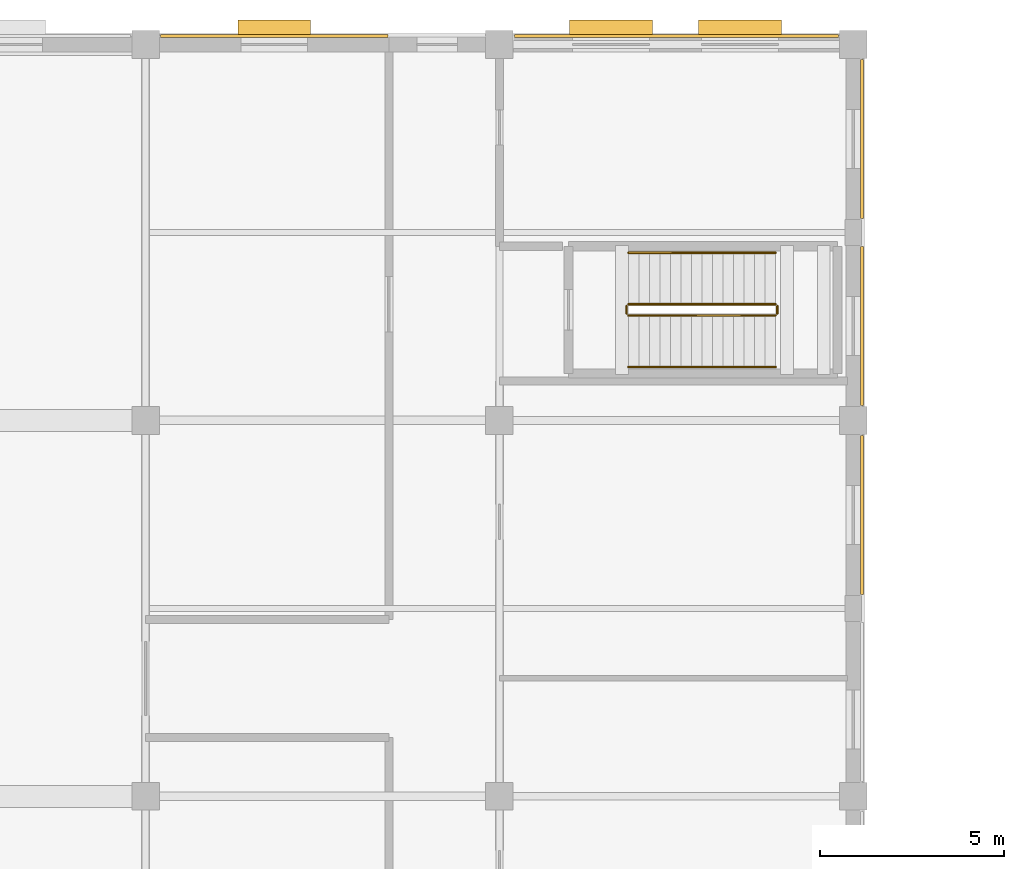
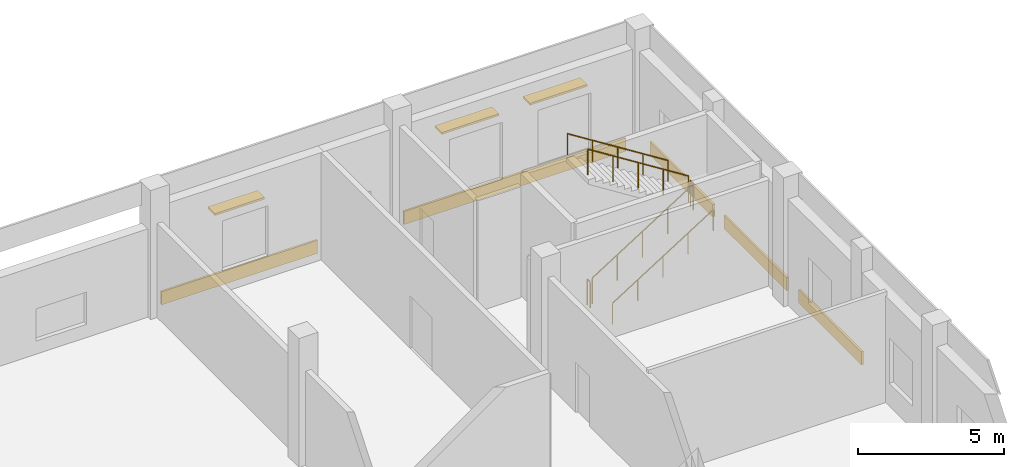
# One storey, part 127 of 137: 6 railings, 5 coverings, 3 shading devices.
"""IFC4 building model written with IfcOpenShell, lengths in metres."""

from ifc_helpers import new_model, si_unit, direction, frame, origin, origin_2d, place, context, subcontext, project, spatial, rectangle, circle, extrude, material, layer, layer_set, type_object, element, save


model = new_model("IFC4")

# Units and contexts
model_context = context("Model", 3, precision=1e-05, world=origin(), true_north=direction((0.0, 1.0)))
body_context = subcontext(model_context, "Body", "Model", "MODEL_VIEW")
ifc_project = project(units=[si_unit("LENGTHUNIT", "METRE"), si_unit("AREAUNIT", "SQUARE_METRE"), si_unit("VOLUMEUNIT", "CUBIC_METRE"), si_unit("PLANEANGLEUNIT", "RADIAN"), si_unit("MASSUNIT", "GRAM", prefix="KILO")], contexts=[model_context])

# Site, building, storey
site_placement = place(None, origin())
site = spatial("IfcSite", under=ifc_project, at=site_placement, CompositionType="ELEMENT")
building_placement = place(site_placement, origin())
building = spatial("IfcBuilding", under=site, at=building_placement, Name="Vondelvale Polytechnic", CompositionType="ELEMENT")
storey_placement = place(building_placement, origin())
storey = spatial("IfcBuildingStorey", under=building, at=storey_placement, Name="L00", CompositionType="ELEMENT", Elevation=0.0)

# Coverings
ifc_material_1 = material(Name="Malmsbury bluestone ashlar stone masonry", Category="masonry")
ifc_layer_1 = layer(ifc_material_1, 0.080078125)
ifc_layer_set_1 = layer_set([ifc_layer_1], Name="COV-BLUESTONE-PLINTH")
covering_type = type_object("IfcCoveringType", Name="COV-BLUESTONE-PLINTH", PredefinedType="CLADDING", material=ifc_layer_set_1)
for number, where, z_axis, x_axis, name in (
    (1, (48.236083984375, 109.637451171875, 0.0), (0.0, 0.0, 1.0), (0.0, -1.0, 0.0), "L00 exterior corbelled masonry relief band"),
    (2, (48.236083984375, 114.762451171875, 0.0), (0.0, 0.0, 1.0), (0.0, -1.0, 0.0), "L00 exterior corbelled masonry relief band"),
    (3, (48.236083984375, 119.83740234375, 0.0), (0.0, 0.0, 1.0), (0.0, -1.0, 0.0), "L00 exterior corbelled masonry relief band"),
):
    element("IfcCovering", number, at=place(storey_placement, frame(where, z_axis=z_axis, x_axis=x_axis)), inside=storey, type_object=covering_type, Name=name, PredefinedType="CLADDING", context=body_context, shape_type="SweptSolid", body=[
        extrude(rectangle(XDim=4.31298828125, YDim=0.080078125, at=origin_2d()), origin(), (0.0, 0.0, 1.0), 0.550048828125),
    ])
covering_1_placement = place(storey_placement, frame((32.2880859375, 122.635986328125, 0.0), z_axis=(0.0, 0.0, 1.0), x_axis=(1.0, 0.0, 0.0)))
element("IfcCovering", 4, at=covering_1_placement, inside=storey, type_object=covering_type, Name="L00 exterior corbelled masonry relief band", PredefinedType="CLADDING", context=body_context, shape_type="SweptSolid", body=[
    extrude(rectangle(XDim=6.1640625, YDim=0.080078125, at=origin_2d()), origin(), (0.0, 0.0, 1.0), 0.550048828125),
])
covering_2_placement = place(storey_placement, frame((43.199951171875, 122.635986328125, 0.0), z_axis=(0.0, 0.0, 1.0), x_axis=(1.0, 0.0, 0.0)))
element("IfcCovering", 5, at=covering_2_placement, inside=storey, type_object=covering_type, Name="L00 exterior corbelled masonry relief band", PredefinedType="CLADDING", context=body_context, shape_type="SweptSolid", body=[
    extrude(rectangle(XDim=8.7880859375, YDim=0.080078125, at=origin_2d()), origin(), (0.0, 0.0, 1.0), 0.550048828125),
])

# Railings
ifc_material_2 = material(Name="Brushed architectural stainless and zinc-coated metal")
ifc_layer_2 = layer(ifc_material_2, 0.050048828125)
ifc_layer_set_2 = layer_set([ifc_layer_2], Name="RL-STAIR-GUARD")
railing_type_1 = type_object("IfcRailingType", Name="RL-STAIR-GUARD", PredefinedType="GUARDRAIL", material=ifc_layer_set_2)
railing_1_placement = place(storey_placement, frame((41.89990234375, 115.050048828125, 0.179931640625)))
element("IfcRailing", 6, at=railing_1_placement, inside=storey, type_object=railing_type_1, Name="L00 ST-02 stair guard 1", PredefinedType="GUARDRAIL", context=body_context, shape_type="SweptSolid", body=[
    extrude(circle(Radius=0.02392578125, at=origin_2d()), frame((0.0, 0.0, 1.076171875), z_axis=(0.845486444383, 0.0, 0.533996884227), x_axis=(0.0, 1.0, 0.0)), (0.0, 0.0, 1.0), 4.71923828125),
    extrude(circle(Radius=0.02099609375, at=origin_2d()), origin(), (0.0, 0.0, 1.0), 1.052001953125),
    extrude(circle(Radius=0.02099609375, at=origin_2d()), frame((0.99755859375, 0.0, 0.6298828125)), (0.0, 0.0, 1.0), 1.052001953125),
    extrude(circle(Radius=0.02099609375, at=origin_2d()), frame((1.9951171875, 0.0, 1.260009765625)), (0.0, 0.0, 1.0), 1.052001953125),
    extrude(circle(Radius=0.02099609375, at=origin_2d()), frame((2.992431640625, 0.0, 1.89013671875)), (0.0, 0.0, 1.0), 1.052001953125),
    extrude(circle(Radius=0.02099609375, at=origin_2d()), frame((3.989990234375, 0.0, 2.52001953125)), (0.0, 0.0, 1.0), 1.052001953125),
])
railing_2_placement = place(storey_placement, frame((45.93994140625, 115.10009765625, 2.699951171875)))
element("IfcRailing", 7, at=railing_2_placement, inside=storey, type_object=railing_type_1, Name="L00 ST-02 stair guard 2", PredefinedType="GUARDRAIL", context=body_context, shape_type="SweptSolid", body=[
    extrude(circle(Radius=0.02392578125, at=origin_2d()), frame((0.0, 0.0, 1.076171875), z_axis=(0.0, 1.0, 0.0), x_axis=(-1.0, 0.0, 0.0)), (0.0, 0.0, 1.0), 0.199951171875),
    extrude(circle(Radius=0.02099609375, at=origin_2d()), origin(), (0.0, 0.0, 1.0), 1.052001953125),
    extrude(circle(Radius=0.02099609375, at=origin_2d()), frame((0.0, 0.199951171875, 0.0)), (0.0, 0.0, 1.0), 1.052001953125),
])
railing_3_placement = place(storey_placement, frame((45.889892578125, 115.35009765625, 2.8798828125)))
element("IfcRailing", 8, at=railing_3_placement, inside=storey, type_object=railing_type_1, Name="L00 ST-02 stair guard 3", PredefinedType="GUARDRAIL", context=body_context, shape_type="SweptSolid", body=[
    extrude(circle(Radius=0.02392578125, at=origin_2d()), frame((0.0, 0.0, 1.076171875), z_axis=(-0.845486444383, 0.0, 0.533996884227), x_axis=(0.0, -1.0, 0.0)), (0.0, 0.0, 1.0), 4.71923828125),
    extrude(circle(Radius=0.02099609375, at=origin_2d()), origin(), (0.0, 0.0, 1.0), 1.052001953125),
    extrude(circle(Radius=0.02099609375, at=origin_2d()), frame((-0.99755859375, 0.0, 0.6298828125)), (0.0, 0.0, 1.0), 1.052001953125),
    extrude(circle(Radius=0.02099609375, at=origin_2d()), frame((-1.9951171875, 0.0, 1.260009765625)), (0.0, 0.0, 1.0), 1.052001953125),
    extrude(circle(Radius=0.02099609375, at=origin_2d()), frame((-2.992431640625, 0.0, 1.89013671875)), (0.0, 0.0, 1.0), 1.052001953125),
    extrude(circle(Radius=0.02099609375, at=origin_2d()), frame((-3.989990234375, 0.0, 2.52001953125)), (0.0, 0.0, 1.0), 1.052001953125),
])
railing_4_placement = place(storey_placement, frame((41.85009765625, 115.10009765625, 0.0)))
element("IfcRailing", 9, at=railing_4_placement, inside=storey, type_object=railing_type_1, Name="L00 ST-02 stair guard 4", PredefinedType="GUARDRAIL", context=body_context, shape_type="SweptSolid", body=[
    extrude(circle(Radius=0.02392578125, at=origin_2d()), frame((0.0, 0.0, 1.076171875), z_axis=(0.0, 1.0, 0.0), x_axis=(-1.0, 0.0, 0.0)), (0.0, 0.0, 1.0), 0.199951171875),
    extrude(circle(Radius=0.02099609375, at=origin_2d()), origin(), (0.0, 0.0, 1.0), 1.052001953125),
    extrude(circle(Radius=0.02099609375, at=origin_2d()), frame((0.0, 0.199951171875, 0.0)), (0.0, 0.0, 1.0), 1.052001953125),
])
ifc_layer_3 = layer(ifc_material_2, 0.048095703125)
ifc_layer_set_3 = layer_set([ifc_layer_3], Name="RL-STAIR-HANDRAIL")
railing_type_2 = type_object("IfcRailingType", Name="RL-STAIR-HANDRAIL", PredefinedType="HANDRAIL", material=ifc_layer_set_3)
railing_5_placement = place(storey_placement, frame((41.89990234375, 113.64990234375, 0.179931640625)))
element("IfcRailing", 10, at=railing_5_placement, inside=storey, type_object=railing_type_2, Name="L00 ST-02 stair handrail 1", PredefinedType="HANDRAIL", context=body_context, shape_type="SweptSolid", body=[
    extrude(circle(Radius=0.02392578125, at=origin_2d()), frame((0.0, 0.0, 0.8759765625), z_axis=(0.845486444383, 0.0, 0.533996884227), x_axis=(0.0, 1.0, 0.0)), (0.0, 0.0, 1.0), 4.71923828125),
    extrude(circle(Radius=0.02099609375, at=origin_2d()), origin(), (0.0, 0.0, 1.0), 0.851806640625),
    extrude(circle(Radius=0.02099609375, at=origin_2d()), frame((0.99755859375, 0.0, 0.6298828125)), (0.0, 0.0, 1.0), 0.851806640625),
    extrude(circle(Radius=0.02099609375, at=origin_2d()), frame((1.9951171875, 0.0, 1.260009765625)), (0.0, 0.0, 1.0), 0.851806640625),
    extrude(circle(Radius=0.02099609375, at=origin_2d()), frame((2.992431640625, 0.0, 1.89013671875)), (0.0, 0.0, 1.0), 0.851806640625),
    extrude(circle(Radius=0.02099609375, at=origin_2d()), frame((3.989990234375, 0.0, 2.52001953125)), (0.0, 0.0, 1.0), 0.851806640625),
])
railing_6_placement = place(storey_placement, frame((45.889892578125, 116.75, 2.8798828125)))
element("IfcRailing", 11, at=railing_6_placement, inside=storey, type_object=railing_type_2, Name="L00 ST-02 stair handrail 2", PredefinedType="HANDRAIL", context=body_context, shape_type="SweptSolid", body=[
    extrude(circle(Radius=0.02392578125, at=origin_2d()), frame((0.0, 0.0, 0.8759765625), z_axis=(-0.845486444383, 0.0, 0.533996884227), x_axis=(0.0, -1.0, 0.0)), (0.0, 0.0, 1.0), 4.71923828125),
    extrude(circle(Radius=0.02099609375, at=origin_2d()), origin(), (0.0, 0.0, 1.0), 0.851806640625),
    extrude(circle(Radius=0.02099609375, at=origin_2d()), frame((-0.99755859375, 0.0, 0.6298828125)), (0.0, 0.0, 1.0), 0.851806640625),
    extrude(circle(Radius=0.02099609375, at=origin_2d()), frame((-1.9951171875, 0.0, 1.260009765625)), (0.0, 0.0, 1.0), 0.851806640625),
    extrude(circle(Radius=0.02099609375, at=origin_2d()), frame((-2.992431640625, 0.0, 1.89013671875)), (0.0, 0.0, 1.0), 0.851806640625),
    extrude(circle(Radius=0.02099609375, at=origin_2d()), frame((-3.989990234375, 0.0, 2.52001953125)), (0.0, 0.0, 1.0), 0.851806640625),
])

# Shading devices
ifc_material_3 = material(Name="Anodised extruded aluminium 6063-T6", Category="aluminium")
shading_device_type = type_object("IfcShadingDeviceType", Name="SHD-BRONZE-LOUVRE", PredefinedType="SHUTTER", material=ifc_material_3)
shading_device_placement = place(storey_placement, frame((32.2880859375, 122.824951171875, 3.007568359375), z_axis=(0.0, 0.0, 1.0), x_axis=(1.0, 0.0, 0.0)))
element("IfcShadingDevice", 12, at=shading_device_placement, inside=storey, type_object=shading_device_type, Name="L00 horizontal bronze sun-louvre overhang", PredefinedType="SHUTTER", context=body_context, shape_type="SweptSolid", body=[
    extrude(rectangle(XDim=1.9599609375, YDim=0.47998046875, at=origin_2d()), origin(), (0.0, 0.0, 1.0), 0.0849609375),
])
for number, where, z_axis, x_axis, name in (
    (13, (41.426025390625, 122.824951171875, 3.257568359375), (0.0, 0.0, 1.0), (1.0, 0.0, 0.0), "L00 horizontal bronze sun-louvre overhang"),
    (14, (44.926025390625, 122.824951171875, 3.257568359375), (0.0, 0.0, 1.0), (1.0, 0.0, 0.0), "L00 horizontal bronze sun-louvre overhang"),
):
    element("IfcShadingDevice", number, at=place(storey_placement, frame(where, z_axis=z_axis, x_axis=x_axis)), inside=storey, type_object=shading_device_type, Name=name, PredefinedType="SHUTTER", context=body_context, shape_type="SweptSolid", body=[
        extrude(rectangle(XDim=2.260009765625, YDim=0.47998046875, at=origin_2d()), origin(), (0.0, 0.0, 1.0), 0.0849609375),
    ])

save(model, "model.ifc")
